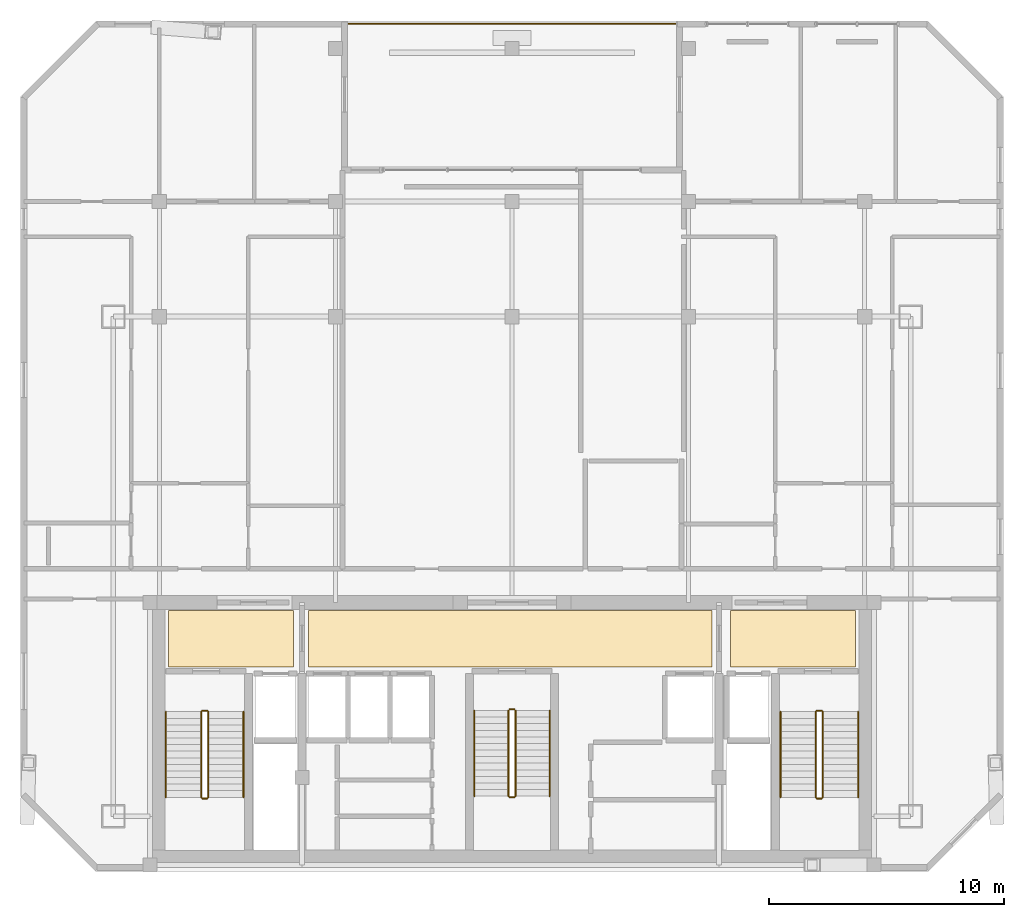
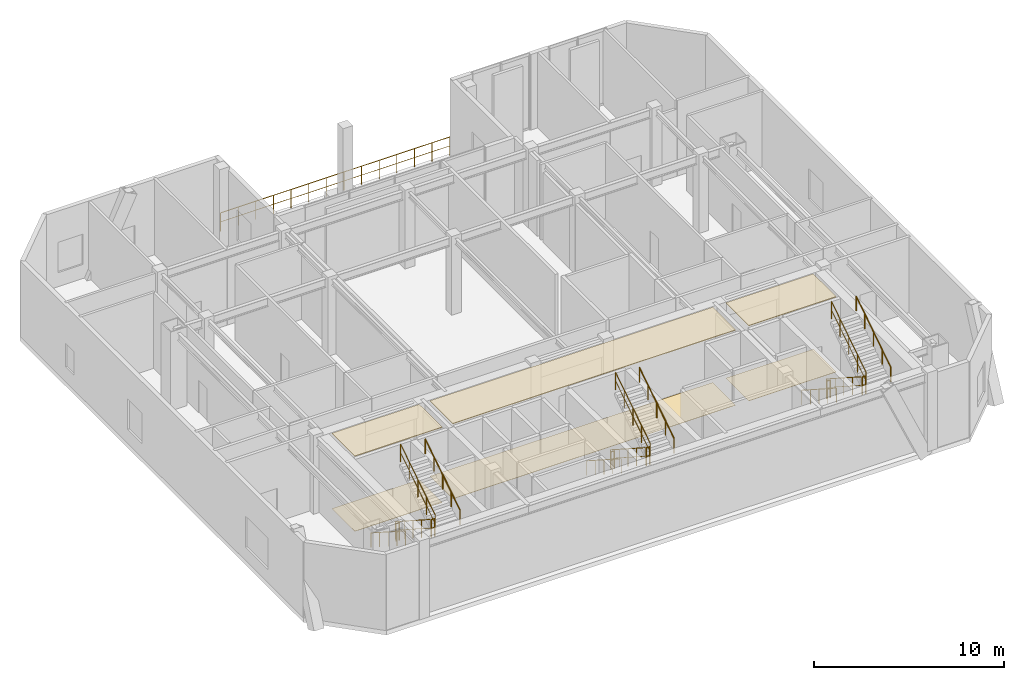
# One storey, part 12 of 12: 19 railings, 6 coverings.
"""IFC4 building model written with IfcOpenShell, lengths in metres."""

from ifc_helpers import new_model, si_unit, direction, frame, origin, origin_2d, place, context, subcontext, project, spatial, polyline, circle, outline, extrude, material, layer, layer_set, type_object, element, save


model = new_model("IFC4")

# Units and contexts
model_context = context("Model", 3, precision=1e-05, world=origin(), true_north=direction((0.0, 1.0)))
body_context = subcontext(model_context, "Body", "Model", "MODEL_VIEW")
ifc_project = project(units=[si_unit("LENGTHUNIT", "METRE"), si_unit("AREAUNIT", "SQUARE_METRE"), si_unit("VOLUMEUNIT", "CUBIC_METRE"), si_unit("PLANEANGLEUNIT", "RADIAN"), si_unit("MASSUNIT", "GRAM", prefix="KILO")], contexts=[model_context])

# Site, building, storey
site_placement = place(None, origin())
site = spatial("IfcSite", under=ifc_project, at=site_placement, CompositionType="ELEMENT")
building_placement = place(site_placement, origin())
building = spatial("IfcBuilding", under=site, at=building_placement, Name="Ventersveld Concourse Tower", CompositionType="ELEMENT")
storey_placement = place(building_placement, frame((0.0, 0.0, 251.699951171875)))
storey = spatial("IfcBuildingStorey", under=building, at=storey_placement, Name="L62", CompositionType="ELEMENT", Elevation=251.699951171875)

# Coverings
ifc_material_1 = material(Name="Mineral-fibre acoustic ceiling tile", Category="gypsum")
ifc_layer_1 = layer(ifc_material_1, 0.0400390625)
ifc_layer_set_1 = layer_set([ifc_layer_1], Name="Mineral-fibre acoustic ceiling tile")
covering_type_1 = type_object("IfcCoveringType", Name="COV-CEIL-ACOUSTIC", PredefinedType="CEILING", material=ifc_layer_set_1)
covering_1_placement = place(storey_placement, frame((0.0, 0.0, 4.81005859375)))
element("IfcCovering", 1, at=covering_1_placement, inside=storey, type_object=covering_type_1, Name="L62 North Lift Lobby Acoustic Ceiling", PredefinedType="CEILING", context=body_context, shape_type="SweptSolid", body=[
    extrude(outline(polyline([(20.10009765625, 8.699951171875), (37.25, 8.699951171875), (37.25, 11.10009765625), (20.10009765625, 11.10009765625), (20.10009765625, 8.699951171875)])), origin(), (0.0, 0.0, 1.0), 0.0400390625),
])
covering_2_placement = place(storey_placement, frame((0.0, 0.0, 4.81005859375)))
element("IfcCovering", 2, at=covering_2_placement, inside=storey, type_object=covering_type_1, Name="L62 West Firefighting Lobby Acoustic Ceiling", PredefinedType="CEILING", context=body_context, shape_type="SweptSolid", body=[
    extrude(outline(polyline([(14.14990234375, 8.699951171875), (19.449951171875, 8.699951171875), (19.449951171875, 11.10009765625), (14.14990234375, 11.10009765625), (14.14990234375, 8.699951171875)])), origin(), (0.0, 0.0, 1.0), 0.0400390625),
])
covering_3_placement = place(storey_placement, frame((0.0, 0.0, 4.81005859375)))
element("IfcCovering", 3, at=covering_3_placement, inside=storey, type_object=covering_type_1, Name="L62 East Firefighting Lobby Acoustic Ceiling", PredefinedType="CEILING", context=body_context, shape_type="SweptSolid", body=[
    extrude(outline(polyline([(38.050048828125, 8.699951171875), (43.35009765625, 8.699951171875), (43.35009765625, 11.10009765625), (38.050048828125, 11.10009765625), (38.050048828125, 8.699951171875)])), origin(), (0.0, 0.0, 1.0), 0.0400390625),
])
ifc_material_2 = material(Name="Polished Highveld granite terrazzo", Category="masonry")
ifc_layer_2 = layer(ifc_material_2, 0.02001953125)
ifc_layer_set_2 = layer_set([ifc_layer_2], Name="Polished Highveld granite terrazzo")
covering_type_2 = type_object("IfcCoveringType", Name="COV-FLOOR-TERRAZZO", PredefinedType="FLOORING", material=ifc_layer_set_2)
covering_4_placement = place(storey_placement, origin())
element("IfcCovering", 4, at=covering_4_placement, inside=storey, type_object=covering_type_2, Name="L62 North Lift Lobby Terrazzo Flooring", PredefinedType="FLOORING", context=body_context, shape_type="SweptSolid", body=[
    extrude(outline(polyline([(20.10009765625, 8.699951171875), (37.25, 8.699951171875), (37.25, 11.10009765625), (20.10009765625, 11.10009765625), (20.10009765625, 8.699951171875)])), origin(), (0.0, 0.0, 1.0), 0.02001953125),
])
covering_5_placement = place(storey_placement, origin())
element("IfcCovering", 5, at=covering_5_placement, inside=storey, type_object=covering_type_2, Name="L62 West Firefighting Lobby Terrazzo Flooring", PredefinedType="FLOORING", context=body_context, shape_type="SweptSolid", body=[
    extrude(outline(polyline([(14.14990234375, 8.699951171875), (19.449951171875, 8.699951171875), (19.449951171875, 11.10009765625), (14.14990234375, 11.10009765625), (14.14990234375, 8.699951171875)])), origin(), (0.0, 0.0, 1.0), 0.02001953125),
])
covering_6_placement = place(storey_placement, origin())
element("IfcCovering", 6, at=covering_6_placement, inside=storey, type_object=covering_type_2, Name="L62 East Firefighting Lobby Terrazzo Flooring", PredefinedType="FLOORING", context=body_context, shape_type="SweptSolid", body=[
    extrude(outline(polyline([(38.050048828125, 8.699951171875), (43.35009765625, 8.699951171875), (43.35009765625, 11.10009765625), (38.050048828125, 11.10009765625), (38.050048828125, 8.699951171875)])), origin(), (0.0, 0.0, 1.0), 0.02001953125),
])

# Railings
ifc_material_3 = material(Name="Brushed stainless steel 316", Category="steel")
railing_type_1 = type_object("IfcRailingType", Name="GD-BAL-115", PredefinedType="GUARDRAIL", material=ifc_material_3)
railing_1_placement = place(storey_placement, frame((15.530029296875, 6.800048828125, 0.180419921875)))
element("IfcRailing", 7, at=railing_1_placement, inside=storey, type_object=railing_type_1, Name="L62 ST-01 stair guard 1", PredefinedType="GUARDRAIL", context=body_context, shape_type="SweptSolid", body=[
    extrude(circle(Radius=0.02392578125, at=origin_2d()), frame((0.0, 0.0, 1.1259765625), z_axis=(0.0, -0.840690826383, 0.541515405539), x_axis=(1.0, 0.0, 0.0)), (0.0, 0.0, 1.0), 4.329833984375),
    extrude(circle(Radius=0.01611328125, at=origin_2d()), frame((0.0, 0.0, 0.574951171875), z_axis=(0.0, -0.840690826383, 0.541515405539), x_axis=(1.0, 0.0, 0.0)), (0.0, 0.0, 1.0), 4.329833984375),
    extrude(circle(Radius=0.02099609375, at=origin_2d()), origin(), (0.0, 0.0, 1.0), 1.101806640625),
    extrude(circle(Radius=0.02099609375, at=origin_2d()), frame((0.0, -0.91015625, 0.586181640625)), (0.0, 0.0, 1.0), 1.101806640625),
    extrude(circle(Radius=0.02099609375, at=origin_2d()), frame((0.0, -1.820068359375, 1.17236328125)), (0.0, 0.0, 1.0), 1.101806640625),
    extrude(circle(Radius=0.02099609375, at=origin_2d()), frame((0.0, -2.72998046875, 1.758544921875)), (0.0, 0.0, 1.0), 1.101806640625),
    extrude(circle(Radius=0.02099609375, at=origin_2d()), frame((0.0, -3.64013671875, 2.3447265625)), (0.0, 0.0, 1.0), 1.101806640625),
])
railing_2_placement = place(storey_placement, frame((15.580078125, 3.110107421875, 2.525146484375)))
element("IfcRailing", 8, at=railing_2_placement, inside=storey, type_object=railing_type_1, Name="L62 ST-01 stair guard 2", PredefinedType="GUARDRAIL", context=body_context, shape_type="SweptSolid", body=[
    extrude(circle(Radius=0.02392578125, at=origin_2d()), frame((0.0, 0.0, 1.1259765625), z_axis=(1.0, 0.0, 0.0), x_axis=(0.0, 1.0, 0.0)), (0.0, 0.0, 1.0), 0.199951171875),
    extrude(circle(Radius=0.01611328125, at=origin_2d()), frame((0.0, 0.0, 0.574951171875), z_axis=(1.0, 0.0, 0.0), x_axis=(0.0, 1.0, 0.0)), (0.0, 0.0, 1.0), 0.199951171875),
    extrude(circle(Radius=0.02099609375, at=origin_2d()), origin(), (0.0, 0.0, 1.0), 1.101806640625),
    extrude(circle(Radius=0.02099609375, at=origin_2d()), frame((0.199951171875, 0.0, 0.0)), (0.0, 0.0, 1.0), 1.101806640625),
])
railing_3_placement = place(storey_placement, frame((15.830078125, 3.159912109375, 2.705322265625)))
element("IfcRailing", 9, at=railing_3_placement, inside=storey, type_object=railing_type_1, Name="L62 ST-01 stair guard 3", PredefinedType="GUARDRAIL", context=body_context, shape_type="SweptSolid", body=[
    extrude(circle(Radius=0.02392578125, at=origin_2d()), frame((0.0, 0.0, 1.1259765625), z_axis=(0.0, 0.840690826383, 0.541515405539), x_axis=(-1.0, 0.0, 0.0)), (0.0, 0.0, 1.0), 4.329833984375),
    extrude(circle(Radius=0.01611328125, at=origin_2d()), frame((0.0, 0.0, 0.574951171875), z_axis=(0.0, 0.840690826383, 0.541515405539), x_axis=(-1.0, 0.0, 0.0)), (0.0, 0.0, 1.0), 4.329833984375),
    extrude(circle(Radius=0.02099609375, at=origin_2d()), origin(), (0.0, 0.0, 1.0), 1.101806640625),
    extrude(circle(Radius=0.02099609375, at=origin_2d()), frame((0.0, 0.91015625, 0.586181640625)), (0.0, 0.0, 1.0), 1.101806640625),
    extrude(circle(Radius=0.02099609375, at=origin_2d()), frame((0.0, 1.820068359375, 1.17236328125)), (0.0, 0.0, 1.0), 1.101806640625),
    extrude(circle(Radius=0.02099609375, at=origin_2d()), frame((0.0, 2.72998046875, 1.758544921875)), (0.0, 0.0, 1.0), 1.101806640625),
    extrude(circle(Radius=0.02099609375, at=origin_2d()), frame((0.0, 3.64013671875, 2.3447265625)), (0.0, 0.0, 1.0), 1.101806640625),
])
railing_4_placement = place(storey_placement, frame((15.580078125, 6.85009765625, 0.0)))
element("IfcRailing", 10, at=railing_4_placement, inside=storey, type_object=railing_type_1, Name="L62 ST-01 stair guard 4", PredefinedType="GUARDRAIL", context=body_context, shape_type="SweptSolid", body=[
    extrude(circle(Radius=0.02392578125, at=origin_2d()), frame((0.0, 0.0, 1.1259765625), z_axis=(1.0, 0.0, 0.0), x_axis=(0.0, 1.0, 0.0)), (0.0, 0.0, 1.0), 0.199951171875),
    extrude(circle(Radius=0.01611328125, at=origin_2d()), frame((0.0, 0.0, 0.574951171875), z_axis=(1.0, 0.0, 0.0), x_axis=(0.0, 1.0, 0.0)), (0.0, 0.0, 1.0), 0.199951171875),
    extrude(circle(Radius=0.02099609375, at=origin_2d()), origin(), (0.0, 0.0, 1.0), 1.101806640625),
    extrude(circle(Radius=0.02099609375, at=origin_2d()), frame((0.199951171875, 0.0, 0.0)), (0.0, 0.0, 1.0), 1.101806640625),
])
railing_5_placement = place(storey_placement, frame((41.669921875, 6.800048828125, 0.180419921875)))
element("IfcRailing", 11, at=railing_5_placement, inside=storey, type_object=railing_type_1, Name="L62 ST-02 stair guard 1", PredefinedType="GUARDRAIL", context=body_context, shape_type="SweptSolid", body=[
    extrude(circle(Radius=0.02392578125, at=origin_2d()), frame((0.0, 0.0, 1.1259765625), z_axis=(0.0, -0.840690826383, 0.541515405539), x_axis=(1.0, 0.0, 0.0)), (0.0, 0.0, 1.0), 4.329833984375),
    extrude(circle(Radius=0.01611328125, at=origin_2d()), frame((0.0, 0.0, 0.574951171875), z_axis=(0.0, -0.840690826383, 0.541515405539), x_axis=(1.0, 0.0, 0.0)), (0.0, 0.0, 1.0), 4.329833984375),
    extrude(circle(Radius=0.02099609375, at=origin_2d()), origin(), (0.0, 0.0, 1.0), 1.101806640625),
    extrude(circle(Radius=0.02099609375, at=origin_2d()), frame((0.0, -0.91015625, 0.586181640625)), (0.0, 0.0, 1.0), 1.101806640625),
    extrude(circle(Radius=0.02099609375, at=origin_2d()), frame((0.0, -1.820068359375, 1.17236328125)), (0.0, 0.0, 1.0), 1.101806640625),
    extrude(circle(Radius=0.02099609375, at=origin_2d()), frame((0.0, -2.72998046875, 1.758544921875)), (0.0, 0.0, 1.0), 1.101806640625),
    extrude(circle(Radius=0.02099609375, at=origin_2d()), frame((0.0, -3.64013671875, 2.3447265625)), (0.0, 0.0, 1.0), 1.101806640625),
])
railing_6_placement = place(storey_placement, frame((41.719970703125, 3.110107421875, 2.525146484375)))
element("IfcRailing", 12, at=railing_6_placement, inside=storey, type_object=railing_type_1, Name="L62 ST-02 stair guard 2", PredefinedType="GUARDRAIL", context=body_context, shape_type="SweptSolid", body=[
    extrude(circle(Radius=0.02392578125, at=origin_2d()), frame((0.0, 0.0, 1.1259765625), z_axis=(1.0, 0.0, 0.0), x_axis=(0.0, 1.0, 0.0)), (0.0, 0.0, 1.0), 0.199951171875),
    extrude(circle(Radius=0.01611328125, at=origin_2d()), frame((0.0, 0.0, 0.574951171875), z_axis=(1.0, 0.0, 0.0), x_axis=(0.0, 1.0, 0.0)), (0.0, 0.0, 1.0), 0.199951171875),
    extrude(circle(Radius=0.02099609375, at=origin_2d()), origin(), (0.0, 0.0, 1.0), 1.101806640625),
    extrude(circle(Radius=0.02099609375, at=origin_2d()), frame((0.199951171875, 0.0, 0.0)), (0.0, 0.0, 1.0), 1.101806640625),
])
railing_7_placement = place(storey_placement, frame((41.969970703125, 3.159912109375, 2.705322265625)))
element("IfcRailing", 13, at=railing_7_placement, inside=storey, type_object=railing_type_1, Name="L62 ST-02 stair guard 3", PredefinedType="GUARDRAIL", context=body_context, shape_type="SweptSolid", body=[
    extrude(circle(Radius=0.02392578125, at=origin_2d()), frame((0.0, 0.0, 1.1259765625), z_axis=(0.0, 0.840690826383, 0.541515405539), x_axis=(-1.0, 0.0, 0.0)), (0.0, 0.0, 1.0), 4.329833984375),
    extrude(circle(Radius=0.01611328125, at=origin_2d()), frame((0.0, 0.0, 0.574951171875), z_axis=(0.0, 0.840690826383, 0.541515405539), x_axis=(-1.0, 0.0, 0.0)), (0.0, 0.0, 1.0), 4.329833984375),
    extrude(circle(Radius=0.02099609375, at=origin_2d()), origin(), (0.0, 0.0, 1.0), 1.101806640625),
    extrude(circle(Radius=0.02099609375, at=origin_2d()), frame((0.0, 0.91015625, 0.586181640625)), (0.0, 0.0, 1.0), 1.101806640625),
    extrude(circle(Radius=0.02099609375, at=origin_2d()), frame((0.0, 1.820068359375, 1.17236328125)), (0.0, 0.0, 1.0), 1.101806640625),
    extrude(circle(Radius=0.02099609375, at=origin_2d()), frame((0.0, 2.72998046875, 1.758544921875)), (0.0, 0.0, 1.0), 1.101806640625),
    extrude(circle(Radius=0.02099609375, at=origin_2d()), frame((0.0, 3.64013671875, 2.3447265625)), (0.0, 0.0, 1.0), 1.101806640625),
])
railing_8_placement = place(storey_placement, frame((41.719970703125, 6.85009765625, 0.0)))
element("IfcRailing", 14, at=railing_8_placement, inside=storey, type_object=railing_type_1, Name="L62 ST-02 stair guard 4", PredefinedType="GUARDRAIL", context=body_context, shape_type="SweptSolid", body=[
    extrude(circle(Radius=0.02392578125, at=origin_2d()), frame((0.0, 0.0, 1.1259765625), z_axis=(1.0, 0.0, 0.0), x_axis=(0.0, 1.0, 0.0)), (0.0, 0.0, 1.0), 0.199951171875),
    extrude(circle(Radius=0.01611328125, at=origin_2d()), frame((0.0, 0.0, 0.574951171875), z_axis=(1.0, 0.0, 0.0), x_axis=(0.0, 1.0, 0.0)), (0.0, 0.0, 1.0), 0.199951171875),
    extrude(circle(Radius=0.02099609375, at=origin_2d()), origin(), (0.0, 0.0, 1.0), 1.101806640625),
    extrude(circle(Radius=0.02099609375, at=origin_2d()), frame((0.199951171875, 0.0, 0.0)), (0.0, 0.0, 1.0), 1.101806640625),
])
railing_9_placement = place(storey_placement, frame((28.60009765625, 6.85009765625, 0.180419921875)))
element("IfcRailing", 15, at=railing_9_placement, inside=storey, type_object=railing_type_1, Name="L62 ST-03 stair guard 1", PredefinedType="GUARDRAIL", context=body_context, shape_type="SweptSolid", body=[
    extrude(circle(Radius=0.02392578125, at=origin_2d()), frame((0.0, 0.0, 1.1259765625), z_axis=(0.0, -0.840690826383, 0.541515405539), x_axis=(1.0, 0.0, 0.0)), (0.0, 0.0, 1.0), 4.329833984375),
    extrude(circle(Radius=0.01611328125, at=origin_2d()), frame((0.0, 0.0, 0.574951171875), z_axis=(0.0, -0.840690826383, 0.541515405539), x_axis=(1.0, 0.0, 0.0)), (0.0, 0.0, 1.0), 4.329833984375),
    extrude(circle(Radius=0.02099609375, at=origin_2d()), origin(), (0.0, 0.0, 1.0), 1.101806640625),
    extrude(circle(Radius=0.02099609375, at=origin_2d()), frame((0.0, -0.91015625, 0.586181640625)), (0.0, 0.0, 1.0), 1.101806640625),
    extrude(circle(Radius=0.02099609375, at=origin_2d()), frame((0.0, -1.820068359375, 1.17236328125)), (0.0, 0.0, 1.0), 1.101806640625),
    extrude(circle(Radius=0.02099609375, at=origin_2d()), frame((0.0, -2.72998046875, 1.758544921875)), (0.0, 0.0, 1.0), 1.101806640625),
    extrude(circle(Radius=0.02099609375, at=origin_2d()), frame((0.0, -3.64013671875, 2.3447265625)), (0.0, 0.0, 1.0), 1.101806640625),
])
railing_10_placement = place(storey_placement, frame((28.64990234375, 3.159912109375, 2.525146484375)))
element("IfcRailing", 16, at=railing_10_placement, inside=storey, type_object=railing_type_1, Name="L62 ST-03 stair guard 2", PredefinedType="GUARDRAIL", context=body_context, shape_type="SweptSolid", body=[
    extrude(circle(Radius=0.02392578125, at=origin_2d()), frame((0.0, 0.0, 1.1259765625), z_axis=(1.0, 0.0, 0.0), x_axis=(0.0, 1.0, 0.0)), (0.0, 0.0, 1.0), 0.2001953125),
    extrude(circle(Radius=0.01611328125, at=origin_2d()), frame((0.0, 0.0, 0.574951171875), z_axis=(1.0, 0.0, 0.0), x_axis=(0.0, 1.0, 0.0)), (0.0, 0.0, 1.0), 0.2001953125),
    extrude(circle(Radius=0.02099609375, at=origin_2d()), origin(), (0.0, 0.0, 1.0), 1.101806640625),
    extrude(circle(Radius=0.02099609375, at=origin_2d()), frame((0.2001953125, 0.0, 0.0)), (0.0, 0.0, 1.0), 1.101806640625),
])
railing_11_placement = place(storey_placement, frame((28.89990234375, 3.2099609375, 2.705322265625)))
element("IfcRailing", 17, at=railing_11_placement, inside=storey, type_object=railing_type_1, Name="L62 ST-03 stair guard 3", PredefinedType="GUARDRAIL", context=body_context, shape_type="SweptSolid", body=[
    extrude(circle(Radius=0.02392578125, at=origin_2d()), frame((0.0, 0.0, 1.1259765625), z_axis=(0.0, 0.840690826383, 0.541515405539), x_axis=(-1.0, 0.0, 0.0)), (0.0, 0.0, 1.0), 4.329833984375),
    extrude(circle(Radius=0.01611328125, at=origin_2d()), frame((0.0, 0.0, 0.574951171875), z_axis=(0.0, 0.840690826383, 0.541515405539), x_axis=(-1.0, 0.0, 0.0)), (0.0, 0.0, 1.0), 4.329833984375),
    extrude(circle(Radius=0.02099609375, at=origin_2d()), origin(), (0.0, 0.0, 1.0), 1.101806640625),
    extrude(circle(Radius=0.02099609375, at=origin_2d()), frame((0.0, 0.91015625, 0.586181640625)), (0.0, 0.0, 1.0), 1.101806640625),
    extrude(circle(Radius=0.02099609375, at=origin_2d()), frame((0.0, 1.820068359375, 1.17236328125)), (0.0, 0.0, 1.0), 1.101806640625),
    extrude(circle(Radius=0.02099609375, at=origin_2d()), frame((0.0, 2.72998046875, 1.758544921875)), (0.0, 0.0, 1.0), 1.101806640625),
    extrude(circle(Radius=0.02099609375, at=origin_2d()), frame((0.0, 3.64013671875, 2.3447265625)), (0.0, 0.0, 1.0), 1.101806640625),
])
railing_12_placement = place(storey_placement, frame((28.64990234375, 6.89990234375, 0.0)))
element("IfcRailing", 18, at=railing_12_placement, inside=storey, type_object=railing_type_1, Name="L62 ST-03 stair guard 4", PredefinedType="GUARDRAIL", context=body_context, shape_type="SweptSolid", body=[
    extrude(circle(Radius=0.02392578125, at=origin_2d()), frame((0.0, 0.0, 1.1259765625), z_axis=(1.0, 0.0, 0.0), x_axis=(0.0, 1.0, 0.0)), (0.0, 0.0, 1.0), 0.2001953125),
    extrude(circle(Radius=0.01611328125, at=origin_2d()), frame((0.0, 0.0, 0.574951171875), z_axis=(1.0, 0.0, 0.0), x_axis=(0.0, 1.0, 0.0)), (0.0, 0.0, 1.0), 0.2001953125),
    extrude(circle(Radius=0.02099609375, at=origin_2d()), origin(), (0.0, 0.0, 1.0), 1.101806640625),
    extrude(circle(Radius=0.02099609375, at=origin_2d()), frame((0.2001953125, 0.0, 0.0)), (0.0, 0.0, 1.0), 1.101806640625),
])
railing_type_2 = type_object("IfcRailingType", Name="GD-TER-120", PredefinedType="GUARDRAIL", material=ifc_material_3)
railing_13_placement = place(storey_placement, frame((21.800048828125, 36.052001953125, 0.0)))
element("IfcRailing", 19, at=railing_13_placement, inside=storey, type_object=railing_type_2, Name="L62 Outdoor Terrace Guardrail SKYGARDEN", PredefinedType="GUARDRAIL", context=body_context, shape_type="SweptSolid", body=[
    extrude(circle(Radius=0.02392578125, at=origin_2d()), frame((0.0, 0.0, 1.17578125), z_axis=(1.0, 0.0, 0.0), x_axis=(0.0, 1.0, 0.0)), (0.0, 0.0, 1.0), 13.89990234375),
    extrude(circle(Radius=0.01611328125, at=origin_2d()), frame((0.0, 0.0, 0.60009765625), z_axis=(1.0, 0.0, 0.0), x_axis=(0.0, 1.0, 0.0)), (0.0, 0.0, 1.0), 13.89990234375),
    extrude(circle(Radius=0.02099609375, at=origin_2d()), origin(), (0.0, 0.0, 1.0), 1.15185546875),
    extrude(circle(Radius=0.02099609375, at=origin_2d()), frame((1.0693359375, 0.0, 0.0)), (0.0, 0.0, 1.0), 1.15185546875),
    extrude(circle(Radius=0.02099609375, at=origin_2d()), frame((2.138427734375, 0.0, 0.0)), (0.0, 0.0, 1.0), 1.15185546875),
    extrude(circle(Radius=0.02099609375, at=origin_2d()), frame((3.207763671875, 0.0, 0.0)), (0.0, 0.0, 1.0), 1.15185546875),
    extrude(circle(Radius=0.02099609375, at=origin_2d()), frame((4.27685546875, 0.0, 0.0)), (0.0, 0.0, 1.0), 1.15185546875),
    extrude(circle(Radius=0.02099609375, at=origin_2d()), frame((5.34619140625, 0.0, 0.0)), (0.0, 0.0, 1.0), 1.15185546875),
    extrude(circle(Radius=0.02099609375, at=origin_2d()), frame((6.415283203125, 0.0, 0.0)), (0.0, 0.0, 1.0), 1.15185546875),
    extrude(circle(Radius=0.02099609375, at=origin_2d()), frame((7.484619140625, 0.0, 0.0)), (0.0, 0.0, 1.0), 1.15185546875),
    extrude(circle(Radius=0.02099609375, at=origin_2d()), frame((8.5537109375, 0.0, 0.0)), (0.0, 0.0, 1.0), 1.15185546875),
    extrude(circle(Radius=0.02099609375, at=origin_2d()), frame((9.623046875, 0.0, 0.0)), (0.0, 0.0, 1.0), 1.15185546875),
    extrude(circle(Radius=0.02099609375, at=origin_2d()), frame((10.692138671875, 0.0, 0.0)), (0.0, 0.0, 1.0), 1.15185546875),
    extrude(circle(Radius=0.02099609375, at=origin_2d()), frame((11.761474609375, 0.0, 0.0)), (0.0, 0.0, 1.0), 1.15185546875),
    extrude(circle(Radius=0.02099609375, at=origin_2d()), frame((12.83056640625, 0.0, 0.0)), (0.0, 0.0, 1.0), 1.15185546875),
    extrude(circle(Radius=0.02099609375, at=origin_2d()), frame((13.89990234375, 0.0, 0.0)), (0.0, 0.0, 1.0), 1.15185546875),
])
railing_type_3 = type_object("IfcRailingType", Name="HR-RMP-095", PredefinedType="HANDRAIL", material=ifc_material_3)
railing_14_placement = place(storey_placement, frame((14.030029296875, 6.800048828125, 0.180419921875)))
element("IfcRailing", 20, at=railing_14_placement, inside=storey, type_object=railing_type_3, Name="L62 ST-01 stair handrail 1", PredefinedType="HANDRAIL", context=body_context, shape_type="SweptSolid", body=[
    extrude(circle(Radius=0.02392578125, at=origin_2d()), frame((0.0, 0.0, 0.92578125), z_axis=(0.0, -0.840690826383, 0.541515405539), x_axis=(1.0, 0.0, 0.0)), (0.0, 0.0, 1.0), 4.329833984375),
    extrude(circle(Radius=0.02099609375, at=origin_2d()), origin(), (0.0, 0.0, 1.0), 0.90185546875),
    extrude(circle(Radius=0.02099609375, at=origin_2d()), frame((0.0, -0.91015625, 0.586181640625)), (0.0, 0.0, 1.0), 0.90185546875),
    extrude(circle(Radius=0.02099609375, at=origin_2d()), frame((0.0, -1.820068359375, 1.17236328125)), (0.0, 0.0, 1.0), 0.90185546875),
    extrude(circle(Radius=0.02099609375, at=origin_2d()), frame((0.0, -2.72998046875, 1.758544921875)), (0.0, 0.0, 1.0), 0.90185546875),
    extrude(circle(Radius=0.02099609375, at=origin_2d()), frame((0.0, -3.64013671875, 2.3447265625)), (0.0, 0.0, 1.0), 0.90185546875),
])
railing_15_placement = place(storey_placement, frame((17.330078125, 3.159912109375, 2.705322265625)))
element("IfcRailing", 21, at=railing_15_placement, inside=storey, type_object=railing_type_3, Name="L62 ST-01 stair handrail 2", PredefinedType="HANDRAIL", context=body_context, shape_type="SweptSolid", body=[
    extrude(circle(Radius=0.02392578125, at=origin_2d()), frame((0.0, 0.0, 0.92578125), z_axis=(0.0, 0.840690826383, 0.541515405539), x_axis=(-1.0, 0.0, 0.0)), (0.0, 0.0, 1.0), 4.329833984375),
    extrude(circle(Radius=0.02099609375, at=origin_2d()), origin(), (0.0, 0.0, 1.0), 0.90185546875),
    extrude(circle(Radius=0.02099609375, at=origin_2d()), frame((0.0, 0.91015625, 0.586181640625)), (0.0, 0.0, 1.0), 0.90185546875),
    extrude(circle(Radius=0.02099609375, at=origin_2d()), frame((0.0, 1.820068359375, 1.17236328125)), (0.0, 0.0, 1.0), 0.90185546875),
    extrude(circle(Radius=0.02099609375, at=origin_2d()), frame((0.0, 2.72998046875, 1.758544921875)), (0.0, 0.0, 1.0), 0.90185546875),
    extrude(circle(Radius=0.02099609375, at=origin_2d()), frame((0.0, 3.64013671875, 2.3447265625)), (0.0, 0.0, 1.0), 0.90185546875),
])
railing_16_placement = place(storey_placement, frame((40.169921875, 6.800048828125, 0.180419921875)))
element("IfcRailing", 22, at=railing_16_placement, inside=storey, type_object=railing_type_3, Name="L62 ST-02 stair handrail 1", PredefinedType="HANDRAIL", context=body_context, shape_type="SweptSolid", body=[
    extrude(circle(Radius=0.02392578125, at=origin_2d()), frame((0.0, 0.0, 0.92578125), z_axis=(0.0, -0.840690826383, 0.541515405539), x_axis=(1.0, 0.0, 0.0)), (0.0, 0.0, 1.0), 4.329833984375),
    extrude(circle(Radius=0.02099609375, at=origin_2d()), origin(), (0.0, 0.0, 1.0), 0.90185546875),
    extrude(circle(Radius=0.02099609375, at=origin_2d()), frame((0.0, -0.91015625, 0.586181640625)), (0.0, 0.0, 1.0), 0.90185546875),
    extrude(circle(Radius=0.02099609375, at=origin_2d()), frame((0.0, -1.820068359375, 1.17236328125)), (0.0, 0.0, 1.0), 0.90185546875),
    extrude(circle(Radius=0.02099609375, at=origin_2d()), frame((0.0, -2.72998046875, 1.758544921875)), (0.0, 0.0, 1.0), 0.90185546875),
    extrude(circle(Radius=0.02099609375, at=origin_2d()), frame((0.0, -3.64013671875, 2.3447265625)), (0.0, 0.0, 1.0), 0.90185546875),
])
railing_17_placement = place(storey_placement, frame((43.469970703125, 3.159912109375, 2.705322265625)))
element("IfcRailing", 23, at=railing_17_placement, inside=storey, type_object=railing_type_3, Name="L62 ST-02 stair handrail 2", PredefinedType="HANDRAIL", context=body_context, shape_type="SweptSolid", body=[
    extrude(circle(Radius=0.02392578125, at=origin_2d()), frame((0.0, 0.0, 0.92578125), z_axis=(0.0, 0.840690826383, 0.541515405539), x_axis=(-1.0, 0.0, 0.0)), (0.0, 0.0, 1.0), 4.329833984375),
    extrude(circle(Radius=0.02099609375, at=origin_2d()), origin(), (0.0, 0.0, 1.0), 0.90185546875),
    extrude(circle(Radius=0.02099609375, at=origin_2d()), frame((0.0, 0.91015625, 0.586181640625)), (0.0, 0.0, 1.0), 0.90185546875),
    extrude(circle(Radius=0.02099609375, at=origin_2d()), frame((0.0, 1.820068359375, 1.17236328125)), (0.0, 0.0, 1.0), 0.90185546875),
    extrude(circle(Radius=0.02099609375, at=origin_2d()), frame((0.0, 2.72998046875, 1.758544921875)), (0.0, 0.0, 1.0), 0.90185546875),
    extrude(circle(Radius=0.02099609375, at=origin_2d()), frame((0.0, 3.64013671875, 2.3447265625)), (0.0, 0.0, 1.0), 0.90185546875),
])
railing_18_placement = place(storey_placement, frame((27.14990234375, 6.85009765625, 0.180419921875)))
element("IfcRailing", 24, at=railing_18_placement, inside=storey, type_object=railing_type_3, Name="L62 ST-03 stair handrail 1", PredefinedType="HANDRAIL", context=body_context, shape_type="SweptSolid", body=[
    extrude(circle(Radius=0.02392578125, at=origin_2d()), frame((0.0, 0.0, 0.92578125), z_axis=(0.0, -0.840690826383, 0.541515405539), x_axis=(1.0, 0.0, 0.0)), (0.0, 0.0, 1.0), 4.329833984375),
    extrude(circle(Radius=0.02099609375, at=origin_2d()), origin(), (0.0, 0.0, 1.0), 0.90185546875),
    extrude(circle(Radius=0.02099609375, at=origin_2d()), frame((0.0, -0.91015625, 0.586181640625)), (0.0, 0.0, 1.0), 0.90185546875),
    extrude(circle(Radius=0.02099609375, at=origin_2d()), frame((0.0, -1.820068359375, 1.17236328125)), (0.0, 0.0, 1.0), 0.90185546875),
    extrude(circle(Radius=0.02099609375, at=origin_2d()), frame((0.0, -2.72998046875, 1.758544921875)), (0.0, 0.0, 1.0), 0.90185546875),
    extrude(circle(Radius=0.02099609375, at=origin_2d()), frame((0.0, -3.64013671875, 2.3447265625)), (0.0, 0.0, 1.0), 0.90185546875),
])
railing_19_placement = place(storey_placement, frame((30.35009765625, 3.2099609375, 2.705322265625)))
element("IfcRailing", 25, at=railing_19_placement, inside=storey, type_object=railing_type_3, Name="L62 ST-03 stair handrail 2", PredefinedType="HANDRAIL", context=body_context, shape_type="SweptSolid", body=[
    extrude(circle(Radius=0.02392578125, at=origin_2d()), frame((0.0, 0.0, 0.92578125), z_axis=(0.0, 0.840690826383, 0.541515405539), x_axis=(-1.0, 0.0, 0.0)), (0.0, 0.0, 1.0), 4.329833984375),
    extrude(circle(Radius=0.02099609375, at=origin_2d()), origin(), (0.0, 0.0, 1.0), 0.90185546875),
    extrude(circle(Radius=0.02099609375, at=origin_2d()), frame((0.0, 0.91015625, 0.586181640625)), (0.0, 0.0, 1.0), 0.90185546875),
    extrude(circle(Radius=0.02099609375, at=origin_2d()), frame((0.0, 1.820068359375, 1.17236328125)), (0.0, 0.0, 1.0), 0.90185546875),
    extrude(circle(Radius=0.02099609375, at=origin_2d()), frame((0.0, 2.72998046875, 1.758544921875)), (0.0, 0.0, 1.0), 0.90185546875),
    extrude(circle(Radius=0.02099609375, at=origin_2d()), frame((0.0, 3.64013671875, 2.3447265625)), (0.0, 0.0, 1.0), 0.90185546875),
])

save(model, "model.ifc")
